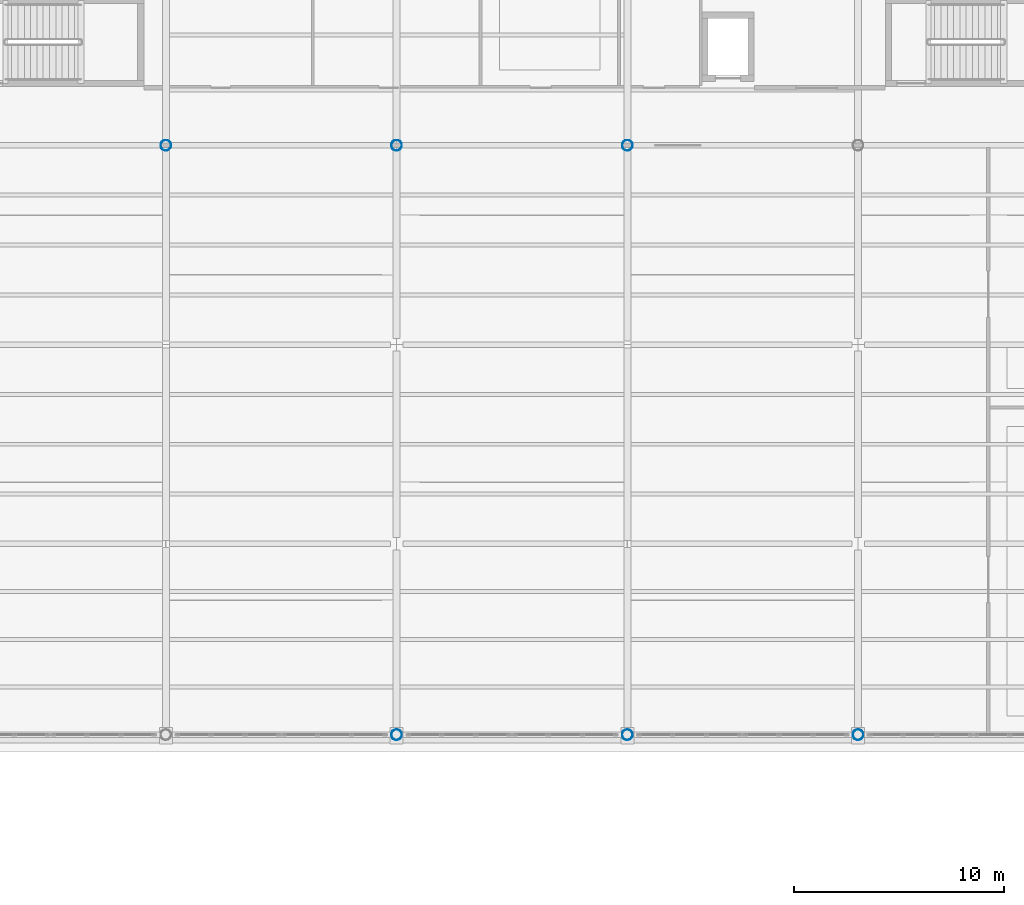
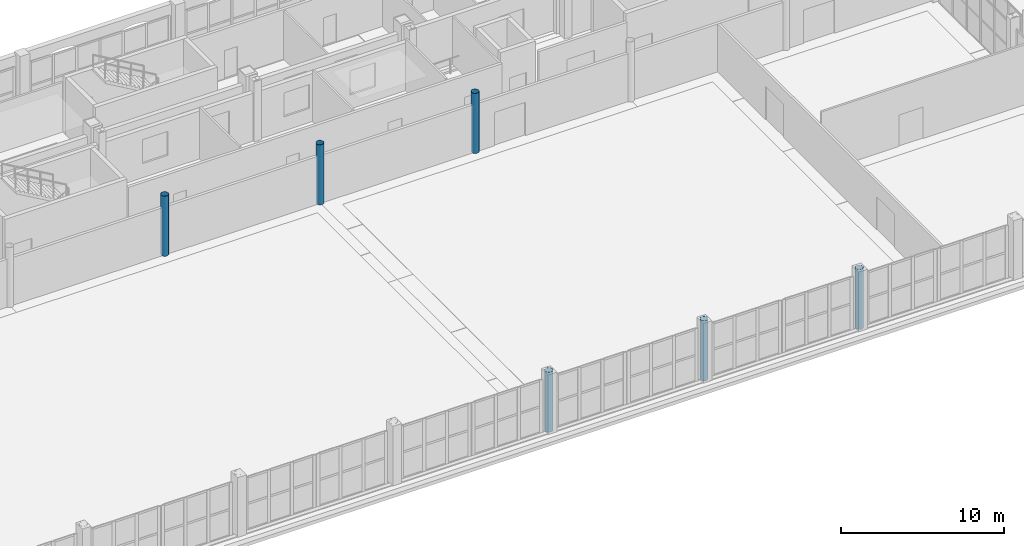
# One storey, part 2 of 156: 6 columns.
"""IFC4 building model written with IfcOpenShell, lengths in metres."""

from ifc_helpers import new_model, si_unit, direction, frame, origin, origin_2d, place, context, subcontext, project, spatial, hollow_circle, extrude, material, material_profile, profile_set, type_object, element, save


model = new_model("IFC4")

# Units and contexts
model_context = context("Model", 3, precision=1e-05, world=origin(), true_north=direction((0.0, 1.0)))
body_context = subcontext(model_context, "Body", "Model", "MODEL_VIEW")
ifc_project = project(units=[si_unit("LENGTHUNIT", "METRE"), si_unit("AREAUNIT", "SQUARE_METRE"), si_unit("VOLUMEUNIT", "CUBIC_METRE"), si_unit("PLANEANGLEUNIT", "RADIAN"), si_unit("MASSUNIT", "GRAM", prefix="KILO")], contexts=[model_context])

# Site, building, storey
site_placement = place(None, origin())
site = spatial("IfcSite", under=ifc_project, at=site_placement, CompositionType="ELEMENT")
building_placement = place(site_placement, origin())
building = spatial("IfcBuilding", under=site, at=building_placement, Name="Caurita Quay Ferry Terminal", CompositionType="ELEMENT")
storey_placement = place(building_placement, frame((0.0, 0.0, 5.39990234375)))
storey = spatial("IfcBuildingStorey", under=building, at=storey_placement, Name="L01", CompositionType="ELEMENT", Elevation=5.39990234375)

# Columns
ifc_material = material(Name="Hollow structural steel ASTM A500 Gr. C", Category="steel")
ifc_material_profile = material_profile(ifc_material, hollow_circle(Radius=0.25390625, WallThickness=0.01171875, at=origin_2d()), Name="HSS20.000X0.500")
ifc_profile_set = profile_set([ifc_material_profile], Name="Hollow structural steel ASTM A500 Gr. C")
column_type = type_object("IfcColumnType", Name="COL-MST-01", PredefinedType="COLUMN", material=ifc_profile_set)
for number, where, z_axis, x_axis, name in (
    (1, (33.0, 62.699951171875, 0.0), (0.0, 0.0, 1.0), (1.0, 0.0, 0.0), "L01 Column V1-MST-04-N"),
    (2, (44.0, 34.60009765625, 0.0), (0.0, 0.0, 1.0), (1.0, 0.0, 0.0), "L01 Column V1-MST-05-S"),
    (3, (44.0, 62.699951171875, 0.0), (0.0, 0.0, 1.0), (1.0, 0.0, 0.0), "L01 Column V1-MST-05-N"),
    (4, (55.0, 34.60009765625, 0.0), (0.0, 0.0, 1.0), (1.0, 0.0, 0.0), "L01 Column V1-MST-06-S"),
    (5, (55.0, 62.699951171875, 0.0), (0.0, 0.0, 1.0), (1.0, 0.0, 0.0), "L01 Column V1-MST-06-N"),
    (6, (66.0, 34.60009765625, 0.0), (0.0, 0.0, 1.0), (1.0, 0.0, 0.0), "L01 Column V1-MST-07-S"),
):
    element("IfcColumn", number, at=place(storey_placement, frame(where, z_axis=z_axis, x_axis=x_axis)), inside=storey, type_object=column_type, Name=name, PredefinedType="COLUMN", context=body_context, shape_type="SweptSolid", body=[
        extrude(hollow_circle(Radius=0.25390625, WallThickness=0.01171875, at=origin_2d()), origin(), (0.0, 0.0, 1.0), 4.5),
    ])

save(model, "model.ifc")
